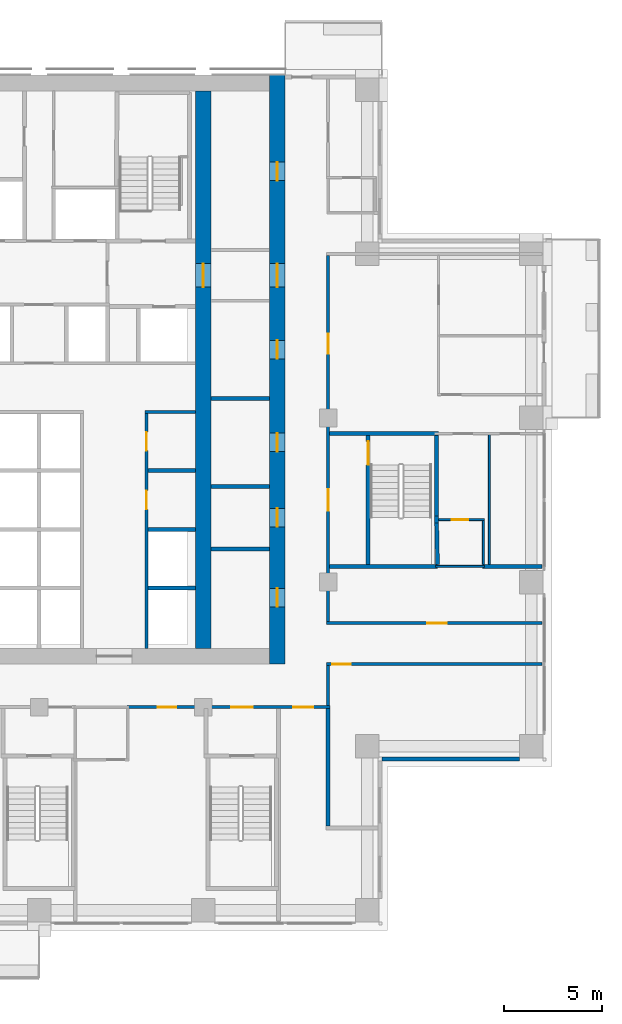
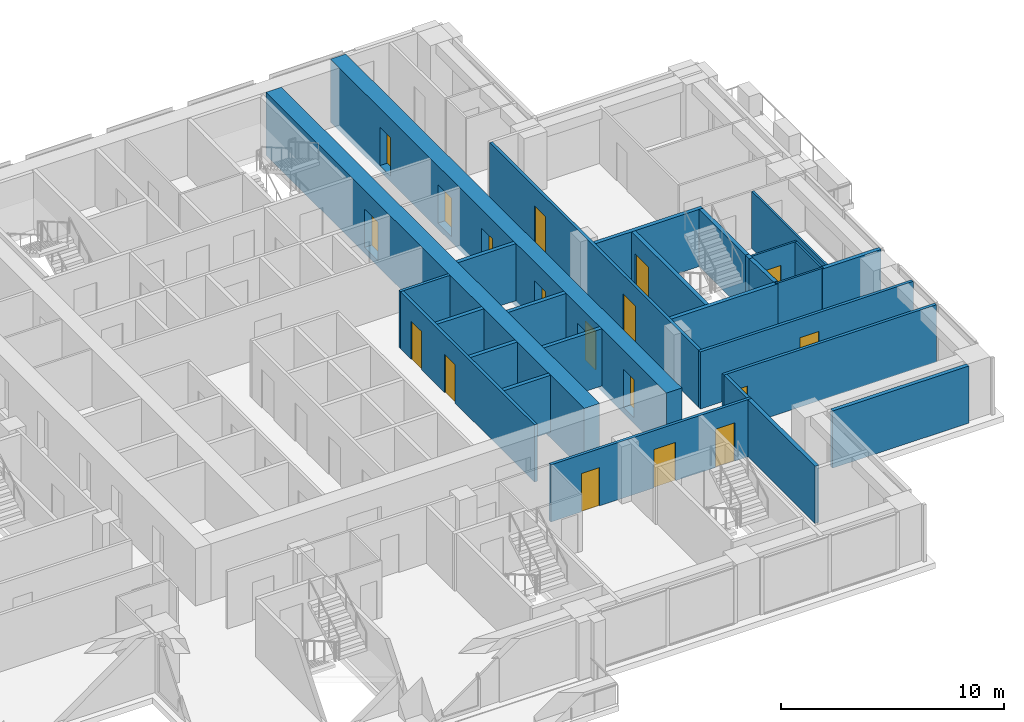
# One storey, part 9 of 16: 28 walls, 18 doors, 18 openings.
"""IFC4 building model written with IfcOpenShell, lengths in metres."""

from ifc_helpers import new_model, si_unit, direction, frame, frame_2d, origin, place, context, subcontext, project, spatial, rectangle, extrude, material, layer, layer_set, type_object, element, fill, save


model = new_model("IFC4")

# Units and contexts
model_context = context("Model", 3, precision=1e-05, world=origin(), true_north=direction((0.0, 1.0)))
body_context = subcontext(model_context, "Body", "Model", "MODEL_VIEW")
ifc_project = project(units=[si_unit("LENGTHUNIT", "METRE"), si_unit("AREAUNIT", "SQUARE_METRE"), si_unit("VOLUMEUNIT", "CUBIC_METRE"), si_unit("PLANEANGLEUNIT", "RADIAN"), si_unit("MASSUNIT", "GRAM", prefix="KILO")], contexts=[model_context])

# Site, building, storey
site_placement = place(None, origin())
site = spatial("IfcSite", under=ifc_project, at=site_placement, CompositionType="ELEMENT")
building_placement = place(site_placement, origin())
building = spatial("IfcBuilding", under=site, at=building_placement, Name="Vermilion Ogive Tower", CompositionType="ELEMENT")
storey_placement = place(building_placement, frame((0.0, 0.0, 114.89990234375)))
storey = spatial("IfcBuildingStorey", under=building, at=storey_placement, Name="L29", CompositionType="ELEMENT", Elevation=114.89990234375)

# Wall, openings, doors
ifc_material_1 = material(Name="Concrete B80", Category="concrete")
ifc_layer_1 = layer(ifc_material_1, 0.800048828125)
ifc_layer_set_1 = layer_set([ifc_layer_1], Name="Core wall 800 B80")
wall_type_1 = type_object("IfcWallType", Name="Core wall 800 B80", PredefinedType="SHEAR", material=ifc_layer_set_1)
wall_1_placement = place(storey_placement, frame((12.199951171875, -8.39990234375, -0.31982421875), z_axis=(0.0, 0.0, 1.0), x_axis=(0.0, 1.0, 0.0)))
wall_1 = element("IfcWall", 1, at=wall_1_placement, inside=storey, type_object=wall_type_1, Name="L29-CORE-E", PredefinedType="SHEAR", context=body_context, shape_type="SweptSolid", body=[
    extrude(rectangle(XDim=30.14990234375, YDim=0.800048828125, at=frame_2d((15.074951171875, 0.0))), origin(), (0.0, 0.0, 1.0), 3.449951171875),
])
opening_1_placement = place(wall_1_placement, frame((2.925048828125, 0.0, 0.320068359375)))
opening_1 = element("IfcOpeningElement", 2, at=opening_1_placement, cuts=wall_1, Name="Opening DAC056", PredefinedType="OPENING", context=body_context, shape_type="SweptSolid", body=[
    extrude(rectangle(XDim=0.949951171875, YDim=2.10009765625, at=frame_2d((0.47509765625, 1.050048828125))), frame((0.0, 0.409912109375, 0.0), z_axis=(0.0, -1.0, 0.0), x_axis=(1.0, 0.0, 0.0)), (0.0, 0.0, 1.0), 0.820068359375),
])
opening_2_placement = place(wall_1_placement, frame((7.02490234375, 0.0, 0.320068359375)))
opening_2 = element("IfcOpeningElement", 3, at=opening_2_placement, cuts=wall_1, Name="Opening DAC057", PredefinedType="OPENING", context=body_context, shape_type="SweptSolid", body=[
    extrude(rectangle(XDim=0.949951171875, YDim=2.10009765625, at=frame_2d((0.47509765625, 1.050048828125))), frame((0.0, 0.409912109375, 0.0), z_axis=(0.0, -1.0, 0.0), x_axis=(1.0, 0.0, 0.0)), (0.0, 0.0, 1.0), 0.820068359375),
])
opening_3_placement = place(wall_1_placement, frame((10.875, 0.0, 0.320068359375)))
opening_3 = element("IfcOpeningElement", 4, at=opening_3_placement, cuts=wall_1, Name="Opening DAC058", PredefinedType="OPENING", context=body_context, shape_type="SweptSolid", body=[
    extrude(rectangle(XDim=0.949951171875, YDim=2.10009765625, at=frame_2d((0.47509765625, 1.050048828125))), frame((0.0, 0.409912109375, 0.0), z_axis=(0.0, -1.0, 0.0), x_axis=(1.0, 0.0, 0.0)), (0.0, 0.0, 1.0), 0.820068359375),
])
opening_4_placement = place(wall_1_placement, frame((15.625, 0.0, 0.320068359375)))
opening_4 = element("IfcOpeningElement", 5, at=opening_4_placement, cuts=wall_1, Name="Opening DAC059", PredefinedType="OPENING", context=body_context, shape_type="SweptSolid", body=[
    extrude(rectangle(XDim=0.949951171875, YDim=2.10009765625, at=frame_2d((0.47509765625, 1.050048828125))), frame((0.0, 0.409912109375, 0.0), z_axis=(0.0, -1.0, 0.0), x_axis=(1.0, 0.0, 0.0)), (0.0, 0.0, 1.0), 0.820068359375),
])
opening_5_placement = place(wall_1_placement, frame((24.75, 0.0, 0.320068359375)))
opening_5 = element("IfcOpeningElement", 6, at=opening_5_placement, cuts=wall_1, Name="Opening DAC060", PredefinedType="OPENING", context=body_context, shape_type="SweptSolid", body=[
    extrude(rectangle(XDim=0.949951171875, YDim=2.10009765625, at=frame_2d((0.47509765625, 1.050048828125))), frame((0.0, 0.409912109375, 0.0), z_axis=(0.0, -1.0, 0.0), x_axis=(1.0, 0.0, 0.0)), (0.0, 0.0, 1.0), 0.820068359375),
])
opening_6_placement = place(wall_1_placement, frame((19.300048828125, 0.0, 0.320068359375)))
opening_6 = element("IfcOpeningElement", 7, at=opening_6_placement, cuts=wall_1, Name="Opening DAL011", PredefinedType="OPENING", context=body_context, shape_type="SweptSolid", body=[
    extrude(rectangle(XDim=1.199951171875, YDim=2.10009765625, at=frame_2d((0.60009765625, 1.050048828125))), frame((0.0, 0.409912109375, 0.0), z_axis=(0.0, -1.0, 0.0), x_axis=(1.0, 0.0, 0.0)), (0.0, 0.0, 1.0), 0.820068359375),
])
ifc_material_2 = material(Name="Timber door leaf", Category="wood")
door_type_1 = type_object("IfcDoorType", Name="Link door 1200 x 2100 FD60S", OperationType="SINGLE_SWING_LEFT", PredefinedType="DOOR", material=ifc_material_2)
door_1_placement = place(opening_6_placement, origin())
door_1 = element("IfcDoor", 8, at=door_1_placement, inside=storey, type_object=door_type_1, Name="L29-CKE-XL", OperationType="SINGLE_SWING_LEFT", OverallHeight=2.10009765625, OverallWidth=1.199951171875, PredefinedType="DOOR", context=body_context, shape_type="SweptSolid", body=[
    extrude(rectangle(XDim=1.199951171875, YDim=2.10009765625, at=frame_2d((0.60009765625, 1.050048828125))), frame((0.0, 0.02490234375, 0.0), z_axis=(0.0, -1.0, 0.0), x_axis=(1.0, 0.0, 0.0)), (0.0, 0.0, 1.0), 0.050048828125),
])
fill(opening_6, door_1)
ifc_material_3 = material(Name="Timber door leaf", Category="wood")
door_type_2 = type_object("IfcDoorType", Name="Service door 950 x 2100 FD60", OperationType="SINGLE_SWING_LEFT", PredefinedType="DOOR", material=ifc_material_3)
door_2_placement = place(opening_1_placement, origin())
door_2 = element("IfcDoor", 9, at=door_2_placement, inside=storey, type_object=door_type_2, Name="L29-CKE-XR0", OperationType="SINGLE_SWING_LEFT", OverallHeight=2.10009765625, OverallWidth=0.949951171875, PredefinedType="DOOR", context=body_context, shape_type="SweptSolid", body=[
    extrude(rectangle(XDim=0.949951171875, YDim=2.10009765625, at=frame_2d((0.47509765625, 1.050048828125))), frame((0.0, 0.02490234375, 0.0), z_axis=(0.0, -1.0, 0.0), x_axis=(1.0, 0.0, 0.0)), (0.0, 0.0, 1.0), 0.050048828125),
])
fill(opening_1, door_2)
door_3_placement = place(opening_2_placement, origin())
door_3 = element("IfcDoor", 10, at=door_3_placement, inside=storey, type_object=door_type_2, Name="L29-CKE-XR1", OperationType="SINGLE_SWING_LEFT", OverallHeight=2.10009765625, OverallWidth=0.949951171875, PredefinedType="DOOR", context=body_context, shape_type="SweptSolid", body=[
    extrude(rectangle(XDim=0.949951171875, YDim=2.10009765625, at=frame_2d((0.47509765625, 1.050048828125))), frame((0.0, 0.02490234375, 0.0), z_axis=(0.0, -1.0, 0.0), x_axis=(1.0, 0.0, 0.0)), (0.0, 0.0, 1.0), 0.050048828125),
])
fill(opening_2, door_3)
door_4_placement = place(opening_3_placement, origin())
door_4 = element("IfcDoor", 11, at=door_4_placement, inside=storey, type_object=door_type_2, Name="L29-CKE-XR2", OperationType="SINGLE_SWING_LEFT", OverallHeight=2.10009765625, OverallWidth=0.949951171875, PredefinedType="DOOR", context=body_context, shape_type="SweptSolid", body=[
    extrude(rectangle(XDim=0.949951171875, YDim=2.10009765625, at=frame_2d((0.47509765625, 1.050048828125))), frame((0.0, 0.02490234375, 0.0), z_axis=(0.0, -1.0, 0.0), x_axis=(1.0, 0.0, 0.0)), (0.0, 0.0, 1.0), 0.050048828125),
])
fill(opening_3, door_4)
door_5_placement = place(opening_4_placement, origin())
door_5 = element("IfcDoor", 12, at=door_5_placement, inside=storey, type_object=door_type_2, Name="L29-CKE-XR3", OperationType="SINGLE_SWING_LEFT", OverallHeight=2.10009765625, OverallWidth=0.949951171875, PredefinedType="DOOR", context=body_context, shape_type="SweptSolid", body=[
    extrude(rectangle(XDim=0.949951171875, YDim=2.10009765625, at=frame_2d((0.47509765625, 1.050048828125))), frame((0.0, 0.02490234375, 0.0), z_axis=(0.0, -1.0, 0.0), x_axis=(1.0, 0.0, 0.0)), (0.0, 0.0, 1.0), 0.050048828125),
])
fill(opening_4, door_5)
door_6_placement = place(opening_5_placement, origin())
door_6 = element("IfcDoor", 13, at=door_6_placement, inside=storey, type_object=door_type_2, Name="L29-CKE-XR4", OperationType="SINGLE_SWING_LEFT", OverallHeight=2.10009765625, OverallWidth=0.949951171875, PredefinedType="DOOR", context=body_context, shape_type="SweptSolid", body=[
    extrude(rectangle(XDim=0.949951171875, YDim=2.10009765625, at=frame_2d((0.47509765625, 1.050048828125))), frame((0.0, 0.02490234375, 0.0), z_axis=(0.0, -1.0, 0.0), x_axis=(1.0, 0.0, 0.0)), (0.0, 0.0, 1.0), 0.050048828125),
])
fill(opening_5, door_6)

# Wall, opening, door
wall_2_placement = place(storey_placement, frame((8.39990234375, -7.60009765625, -0.31982421875), z_axis=(0.0, 0.0, 1.0), x_axis=(0.0, 1.0, 0.0)))
wall_2 = element("IfcWall", 14, at=wall_2_placement, inside=storey, type_object=wall_type_1, Name="L29-CORE-WEB2", PredefinedType="SHEAR", context=body_context, shape_type="SweptSolid", body=[
    extrude(rectangle(XDim=28.550048828125, YDim=0.800048828125, at=frame_2d((14.27490234375, 0.0))), origin(), (0.0, 0.0, 1.0), 3.449951171875),
])
opening_7_placement = place(wall_2_placement, frame((18.5, 0.0, 0.320068359375)))
opening_7 = element("IfcOpeningElement", 15, at=opening_7_placement, cuts=wall_2, Name="Opening DAO011", PredefinedType="OPENING", context=body_context, shape_type="SweptSolid", body=[
    extrude(rectangle(XDim=1.199951171875, YDim=2.10009765625, at=frame_2d((0.60009765625, 1.050048828125))), frame((0.0, 0.409912109375, 0.0), z_axis=(0.0, -1.0, 0.0), x_axis=(1.0, 0.0, 0.0)), (0.0, 0.0, 1.0), 0.820068359375),
])
door_7_placement = place(opening_7_placement, origin())
door_7 = element("IfcDoor", 16, at=door_7_placement, inside=storey, type_object=door_type_1, Name="L29-CKE-XW", OperationType="SINGLE_SWING_LEFT", OverallHeight=2.10009765625, OverallWidth=1.199951171875, PredefinedType="DOOR", context=body_context, shape_type="SweptSolid", body=[
    extrude(rectangle(XDim=1.199951171875, YDim=2.10009765625, at=frame_2d((0.60009765625, 1.050048828125))), frame((0.0, 0.02490234375, 0.0), z_axis=(0.0, -1.0, 0.0), x_axis=(1.0, 0.0, 0.0)), (0.0, 0.0, 1.0), 0.050048828125),
])
fill(opening_7, door_7)

# Wall
ifc_material_4 = material(Name="Gypsum board partition on steel studs", Category="steel")
ifc_layer_2 = layer(ifc_material_4, 0.10009765625)
ifc_layer_set_2 = layer_set([ifc_layer_2], Name="Partition 100 bath")
wall_type_2 = type_object("IfcWallType", Name="Partition 100 bath", PredefinedType="PARTITIONING", material=ifc_layer_set_2)
wall_3_placement = place(storey_placement, frame((20.300048828125, -3.39990234375, 0.0), z_axis=(0.0, 0.0, 1.0), x_axis=(1.0, 0.0, 0.0)))
element("IfcWall", 17, at=wall_3_placement, inside=storey, type_object=wall_type_2, Name="L29-W-W023", PredefinedType="PARTITIONING", context=body_context, shape_type="SweptSolid", body=[
    extrude(rectangle(XDim=2.5, YDim=0.10009765625, at=frame_2d((1.25, 0.0))), origin(), (0.0, 0.0, 1.0), 3.130126953125),
])

# Wall, opening, door
wall_4_placement = place(storey_placement, frame((20.449951171875, -1.0, 0.0), z_axis=(0.0, 0.0, 1.0), x_axis=(1.0, 0.0, 0.0)))
wall_4 = element("IfcWall", 18, at=wall_4_placement, inside=storey, type_object=wall_type_2, Name="L29-W-W025", PredefinedType="PARTITIONING", context=body_context, shape_type="SweptSolid", body=[
    extrude(rectangle(XDim=2.35009765625, YDim=0.10009765625, at=frame_2d((1.175048828125, 0.0))), origin(), (0.0, 0.0, 1.0), 3.130126953125),
])
opening_8_placement = place(wall_4_placement, frame((0.675048828125, 0.0, 0.0)))
opening_8 = element("IfcOpeningElement", 19, at=opening_8_placement, cuts=wall_4, Name="Opening D2G5020", PredefinedType="OPENING", context=body_context, shape_type="SweptSolid", body=[
    extrude(rectangle(XDim=0.85009765625, YDim=2.10009765625, at=frame_2d((0.425048828125, 1.050048828125))), frame((0.0, 0.06005859375, 0.0), z_axis=(0.0, -1.0, 0.0), x_axis=(1.0, 0.0, 0.0)), (0.0, 0.0, 1.0), 0.1201171875),
])
ifc_material_5 = material(Name="Timber door leaf", Category="wood")
door_type_3 = type_object("IfcDoorType", Name="Bath door 850 x 2100 FD30", OperationType="SINGLE_SWING_LEFT", PredefinedType="DOOR", material=ifc_material_5)
door_8_placement = place(opening_8_placement, origin())
door_8 = element("IfcDoor", 20, at=door_8_placement, inside=storey, type_object=door_type_3, Name="L29-D-D020", OperationType="SINGLE_SWING_RIGHT", OverallHeight=2.10009765625, OverallWidth=0.85009765625, PredefinedType="DOOR", context=body_context, shape_type="SweptSolid", body=[
    extrude(rectangle(XDim=0.85009765625, YDim=2.10009765625, at=frame_2d((0.425048828125, 1.050048828125))), frame((0.0, 0.02490234375, 0.0), z_axis=(0.0, -1.0, 0.0), x_axis=(1.0, 0.0, 0.0)), (0.0, 0.0, 1.0), 0.050048828125),
])
fill(opening_8, door_8)

# Walls
wall_5_placement = place(storey_placement, frame((22.75, -3.300048828125, 0.0), z_axis=(0.0, 0.0, 1.0), x_axis=(0.0, 1.0, 0.0)))
element("IfcWall", 21, at=wall_5_placement, inside=storey, type_object=wall_type_2, Name="L29-W-W077", PredefinedType="PARTITIONING", context=body_context, shape_type="SweptSolid", body=[
    extrude(rectangle(XDim=2.25, YDim=0.10009765625, at=frame_2d((1.125, 0.0))), origin(), (0.0, 0.0, 1.0), 3.130126953125),
])
ifc_material_6 = material(Name="Gypsum board partition on steel studs", Category="steel")
ifc_layer_3 = layer(ifc_material_6, 0.10009765625)
ifc_layer_set_3 = layer_set([ifc_layer_3], Name="Partition 100 inner")
wall_type_3 = type_object("IfcWallType", Name="Partition 100 inner", PredefinedType="PARTITIONING", material=ifc_layer_set_3)
wall_6_placement = place(storey_placement, frame((23.050048828125, -3.300048828125, 0.0), z_axis=(0.0, 0.0, 1.0), x_axis=(0.0, 1.0, 0.0)))
element("IfcWall", 22, at=wall_6_placement, inside=storey, type_object=wall_type_3, Name="L29-W-W078", PredefinedType="PARTITIONING", context=body_context, shape_type="SweptSolid", body=[
    extrude(rectangle(XDim=6.650146484375, YDim=0.10009765625, at=frame_2d((3.3251953125, 0.0))), origin(), (0.0, 0.0, 1.0), 3.130126953125),
])

# Wall, openings, doors
ifc_material_7 = material(Name="Gypsum board partition on steel studs", Category="steel")
ifc_layer_4 = layer(ifc_material_7, 0.14990234375)
ifc_layer_set_4 = layer_set([ifc_layer_4], Name="Partition 150 corridor")
wall_type_4 = type_object("IfcWallType", Name="Partition 150 corridor", PredefinedType="PARTITIONING", material=ifc_layer_set_4)
wall_7_placement = place(storey_placement, frame((4.5, -10.60009765625, 0.0), z_axis=(0.0, 0.0, 1.0), x_axis=(1.0, 0.0, 0.0)))
wall_7 = element("IfcWall", 23, at=wall_7_placement, inside=storey, type_object=wall_type_4, Name="L29-W-W013", PredefinedType="PARTITIONING", context=body_context, shape_type="SweptSolid", body=[
    extrude(rectangle(XDim=10.39990234375, YDim=0.14990234375, at=frame_2d((5.199951171875, 0.0))), origin(), (0.0, 0.0, 1.0), 3.130126953125),
])
opening_9_placement = place(wall_7_placement, frame((1.574951171875, 0.0, 0.0)))
opening_9 = element("IfcOpeningElement", 24, at=opening_9_placement, cuts=wall_7, Name="Opening D2G5012", PredefinedType="OPENING", context=body_context, shape_type="SweptSolid", body=[
    extrude(rectangle(XDim=0.949951171875, YDim=2.10009765625, at=frame_2d((0.47509765625, 1.050048828125))), frame((0.0, 0.0849609375, 0.0), z_axis=(0.0, -1.0, 0.0), x_axis=(1.0, 0.0, 0.0)), (0.0, 0.0, 1.0), 0.169921875),
])
opening_10_placement = place(wall_7_placement, frame((5.35009765625, 0.0, 0.0)))
opening_10 = element("IfcOpeningElement", 25, at=opening_10_placement, cuts=wall_7, Name="Opening D2G5027", PredefinedType="OPENING", context=body_context, shape_type="SweptSolid", body=[
    extrude(rectangle(XDim=1.10009765625, YDim=2.10009765625, at=frame_2d((0.550048828125, 1.050048828125))), frame((0.0, 0.0849609375, 0.0), z_axis=(0.0, -1.0, 0.0), x_axis=(1.0, 0.0, 0.0)), (0.0, 0.0, 1.0), 0.169921875),
])
opening_11_placement = place(wall_7_placement, frame((8.52490234375, 0.0, 0.0)))
opening_11 = element("IfcOpeningElement", 26, at=opening_11_placement, cuts=wall_7, Name="Opening D2G5033", PredefinedType="OPENING", context=body_context, shape_type="SweptSolid", body=[
    extrude(rectangle(XDim=1.0, YDim=2.10009765625, at=frame_2d((0.5, 1.050048828125))), frame((0.0, 0.0849609375, 0.0), z_axis=(0.0, -1.0, 0.0), x_axis=(1.0, 0.0, 0.0)), (0.0, 0.0, 1.0), 0.169921875),
])
ifc_material_8 = material(Name="Timber door leaf", Category="wood")
door_type_4 = type_object("IfcDoorType", Name="Stair door 1100 x 2100 FD60S", OperationType="SINGLE_SWING_LEFT", PredefinedType="DOOR", material=ifc_material_8)
door_9_placement = place(opening_10_placement, origin())
door_9 = element("IfcDoor", 27, at=door_9_placement, inside=storey, type_object=door_type_4, Name="L29-D-D027", OperationType="SINGLE_SWING_LEFT", OverallHeight=2.10009765625, OverallWidth=1.10009765625, PredefinedType="DOOR", context=body_context, shape_type="SweptSolid", body=[
    extrude(rectangle(XDim=1.10009765625, YDim=2.10009765625, at=frame_2d((0.550048828125, 1.050048828125))), frame((0.0, 0.02490234375, 0.0), z_axis=(0.0, -1.0, 0.0), x_axis=(1.0, 0.0, 0.0)), (0.0, 0.0, 1.0), 0.050048828125),
])
fill(opening_10, door_9)
ifc_material_9 = material(Name="Timber door leaf", Category="wood")
door_type_5 = type_object("IfcDoorType", Name="Unit door 1000 x 2100 FD30S", OperationType="SINGLE_SWING_LEFT", PredefinedType="DOOR", material=ifc_material_9)
door_10_placement = place(opening_11_placement, origin())
door_10 = element("IfcDoor", 28, at=door_10_placement, inside=storey, type_object=door_type_5, Name="L29-D-D033", OperationType="SINGLE_SWING_LEFT", OverallHeight=2.10009765625, OverallWidth=1.0, PredefinedType="DOOR", context=body_context, shape_type="SweptSolid", body=[
    extrude(rectangle(XDim=1.0, YDim=2.10009765625, at=frame_2d((0.5, 1.050048828125))), frame((0.0, 0.02490234375, 0.0), z_axis=(0.0, -1.0, 0.0), x_axis=(1.0, 0.0, 0.0)), (0.0, 0.0, 1.0), 0.050048828125),
])
fill(opening_11, door_10)
ifc_material_10 = material(Name="Timber door leaf", Category="wood")
door_type_6 = type_object("IfcDoorType", Name="Unit door 950 x 2100 FD30S", OperationType="SINGLE_SWING_LEFT", PredefinedType="DOOR", material=ifc_material_10)
door_11_placement = place(opening_9_placement, origin())
door_11 = element("IfcDoor", 29, at=door_11_placement, inside=storey, type_object=door_type_6, Name="L29-D-D012", OperationType="SINGLE_SWING_LEFT", OverallHeight=2.10009765625, OverallWidth=0.949951171875, PredefinedType="DOOR", context=body_context, shape_type="SweptSolid", body=[
    extrude(rectangle(XDim=0.949951171875, YDim=2.10009765625, at=frame_2d((0.47509765625, 1.050048828125))), frame((0.0, 0.02490234375, 0.0), z_axis=(0.0, -1.0, 0.0), x_axis=(1.0, 0.0, 0.0)), (0.0, 0.0, 1.0), 0.050048828125),
])
fill(opening_9, door_11)

# Wall, opening, door
wall_8_placement = place(storey_placement, frame((14.72509765625, -8.39990234375, 0.0), z_axis=(0.0, 0.0, 1.0), x_axis=(1.0, 0.0, 0.0)))
wall_8 = element("IfcWall", 30, at=wall_8_placement, inside=storey, type_object=wall_type_4, Name="L29-W-W016", PredefinedType="PARTITIONING", context=body_context, shape_type="SweptSolid", body=[
    extrude(rectangle(XDim=11.02490234375, YDim=0.14990234375, at=frame_2d((5.512451171875, 0.0))), origin(), (0.0, 0.0, 1.0), 3.130126953125),
])
opening_12_placement = place(wall_8_placement, frame((0.27490234375, 0.0, 0.0)))
opening_12 = element("IfcOpeningElement", 31, at=opening_12_placement, cuts=wall_8, Name="Opening D2G5014", PredefinedType="OPENING", context=body_context, shape_type="SweptSolid", body=[
    extrude(rectangle(XDim=0.949951171875, YDim=2.10009765625, at=frame_2d((0.47509765625, 1.050048828125))), frame((0.0, 0.0849609375, 0.0), z_axis=(0.0, -1.0, 0.0), x_axis=(1.0, 0.0, 0.0)), (0.0, 0.0, 1.0), 0.169921875),
])
door_12_placement = place(opening_12_placement, origin())
door_12 = element("IfcDoor", 32, at=door_12_placement, inside=storey, type_object=door_type_6, Name="L29-D-D014", OperationType="SINGLE_SWING_RIGHT", OverallHeight=2.10009765625, OverallWidth=0.949951171875, PredefinedType="DOOR", context=body_context, shape_type="SweptSolid", body=[
    extrude(rectangle(XDim=0.949951171875, YDim=2.10009765625, at=frame_2d((0.47509765625, 1.050048828125))), frame((0.0, 0.02490234375, 0.0), z_axis=(0.0, -1.0, 0.0), x_axis=(1.0, 0.0, 0.0)), (0.0, 0.0, 1.0), 0.050048828125),
])
fill(opening_12, door_12)

wall_9_placement = place(storey_placement, frame((14.72509765625, -6.300048828125, 0.0), z_axis=(0.0, 0.0, 1.0), x_axis=(1.0, 0.0, 0.0)))
wall_9 = element("IfcWall", 33, at=wall_9_placement, inside=storey, type_object=wall_type_4, Name="L29-W-W018", PredefinedType="PARTITIONING", context=body_context, shape_type="SweptSolid", body=[
    extrude(rectangle(XDim=11.02490234375, YDim=0.14990234375, at=frame_2d((5.512451171875, 0.0))), origin(), (0.0, 0.0, 1.0), 3.130126953125),
])
opening_13_placement = place(wall_9_placement, frame((5.14990234375, 0.0, 0.0)))
opening_13 = element("IfcOpeningElement", 34, at=opening_13_placement, cuts=wall_9, Name="Opening D2G5035", PredefinedType="OPENING", context=body_context, shape_type="SweptSolid", body=[
    extrude(rectangle(XDim=1.0, YDim=2.10009765625, at=frame_2d((0.5, 1.050048828125))), frame((0.0, 0.0849609375, 0.0), z_axis=(0.0, -1.0, 0.0), x_axis=(1.0, 0.0, 0.0)), (0.0, 0.0, 1.0), 0.169921875),
])
door_13_placement = place(opening_13_placement, origin())
door_13 = element("IfcDoor", 35, at=door_13_placement, inside=storey, type_object=door_type_5, Name="L29-D-D035", OperationType="SINGLE_SWING_RIGHT", OverallHeight=2.10009765625, OverallWidth=1.0, PredefinedType="DOOR", context=body_context, shape_type="SweptSolid", body=[
    extrude(rectangle(XDim=1.0, YDim=2.10009765625, at=frame_2d((0.5, 1.050048828125))), frame((0.0, 0.02490234375, 0.0), z_axis=(0.0, -1.0, 0.0), x_axis=(1.0, 0.0, 0.0)), (0.0, 0.0, 1.0), 0.050048828125),
])
fill(opening_13, door_13)

# Wall
wall_10_placement = place(storey_placement, frame((14.800048828125, -10.52490234375, 0.0), z_axis=(0.0, 0.0, 1.0), x_axis=(0.0, 1.0, 0.0)))
element("IfcWall", 36, at=wall_10_placement, inside=storey, type_object=wall_type_4, Name="L29-W-W068", PredefinedType="PARTITIONING", context=body_context, shape_type="SweptSolid", body=[
    extrude(rectangle(XDim=2.0498046875, YDim=0.14990234375, at=frame_2d((1.02490234375, 0.0))), origin(), (0.0, 0.0, 1.0), 3.130126953125),
])

# Wall, openings, doors
wall_11_placement = place(storey_placement, frame((14.800048828125, -6.22509765625, 0.0), z_axis=(0.0, 0.0, 1.0), x_axis=(0.0, 1.0, 0.0)))
wall_11 = element("IfcWall", 37, at=wall_11_placement, inside=storey, type_object=wall_type_4, Name="L29-W-W069", PredefinedType="PARTITIONING", context=body_context, shape_type="SweptSolid", body=[
    extrude(rectangle(XDim=18.75, YDim=0.14990234375, at=frame_2d((9.375, 0.0))), origin(), (0.0, 0.0, 1.0), 3.130126953125),
])
opening_14_placement = place(wall_11_placement, frame((13.72509765625, 0.0, 0.0)))
opening_14 = element("IfcOpeningElement", 38, at=opening_14_placement, cuts=wall_11, Name="Opening D2G5018", PredefinedType="OPENING", context=body_context, shape_type="SweptSolid", body=[
    extrude(rectangle(XDim=1.0, YDim=2.10009765625, at=frame_2d((0.5, 1.050048828125))), frame((0.0, 0.0849609375, 0.0), z_axis=(0.0, -1.0, 0.0), x_axis=(1.0, 0.0, 0.0)), (0.0, 0.0, 1.0), 0.169921875),
])
opening_15_placement = place(wall_11_placement, frame((5.675048828125, 0.0, 0.0)))
opening_15 = element("IfcOpeningElement", 39, at=opening_15_placement, cuts=wall_11, Name="Opening D2G5029", PredefinedType="OPENING", context=body_context, shape_type="SweptSolid", body=[
    extrude(rectangle(XDim=1.10009765625, YDim=2.10009765625, at=frame_2d((0.550048828125, 1.050048828125))), frame((0.0, 0.0849609375, 0.0), z_axis=(0.0, -1.0, 0.0), x_axis=(1.0, 0.0, 0.0)), (0.0, 0.0, 1.0), 0.169921875),
])
door_14_placement = place(opening_15_placement, origin())
door_14 = element("IfcDoor", 40, at=door_14_placement, inside=storey, type_object=door_type_4, Name="L29-D-D029", OperationType="SINGLE_SWING_LEFT", OverallHeight=2.10009765625, OverallWidth=1.10009765625, PredefinedType="DOOR", context=body_context, shape_type="SweptSolid", body=[
    extrude(rectangle(XDim=1.10009765625, YDim=2.10009765625, at=frame_2d((0.550048828125, 1.050048828125))), frame((0.0, 0.02490234375, 0.0), z_axis=(0.0, -1.0, 0.0), x_axis=(1.0, 0.0, 0.0)), (0.0, 0.0, 1.0), 0.050048828125),
])
fill(opening_15, door_14)
door_15_placement = place(opening_14_placement, origin())
door_15 = element("IfcDoor", 41, at=door_15_placement, inside=storey, type_object=door_type_5, Name="L29-D-D018", OperationType="SINGLE_SWING_RIGHT", OverallHeight=2.10009765625, OverallWidth=1.0, PredefinedType="DOOR", context=body_context, shape_type="SweptSolid", body=[
    extrude(rectangle(XDim=1.0, YDim=2.10009765625, at=frame_2d((0.5, 1.050048828125))), frame((0.0, 0.02490234375, 0.0), z_axis=(0.0, -1.0, 0.0), x_axis=(1.0, 0.0, 0.0)), (0.0, 0.0, 1.0), 0.050048828125),
])
fill(opening_14, door_15)

# Wall
wall_12_placement = place(storey_placement, frame((5.425048828125, 4.5, 0.0), z_axis=(0.0, 0.0, 1.0), x_axis=(1.0, 0.0, 0.0)))
element("IfcWall", 42, at=wall_12_placement, inside=storey, type_object=wall_type_4, Name="L29-CK-W-W012", PredefinedType="PARTITIONING", context=body_context, shape_type="SweptSolid", body=[
    extrude(rectangle(XDim=2.573974609375, YDim=0.14990234375, at=frame_2d((1.287109375, 0.0))), origin(), (0.0, 0.0, 1.0), 3.130126953125),
])

# Wall, openings, doors
wall_13_placement = place(storey_placement, frame((5.5, -7.59912109375, 0.0), z_axis=(0.0, 0.0, 1.0), x_axis=(0.0, 1.0, 0.0)))
wall_13 = element("IfcWall", 43, at=wall_13_placement, inside=storey, type_object=wall_type_4, Name="L29-CK-W-W040", PredefinedType="PARTITIONING", context=body_context, shape_type="SweptSolid", body=[
    extrude(rectangle(XDim=12.024169921875, YDim=0.14990234375, at=frame_2d((6.01220703125, 0.0))), origin(), (0.0, 0.0, 1.0), 3.130126953125),
])
opening_16_placement = place(wall_13_placement, frame((7.1240234375, 0.0, 0.0)))
opening_16 = element("IfcOpeningElement", 44, at=opening_16_placement, cuts=wall_13, Name="Opening DAA235", PredefinedType="OPENING", context=body_context, shape_type="SweptSolid", body=[
    extrude(rectangle(XDim=0.949951171875, YDim=2.10009765625, at=frame_2d((0.47509765625, 1.050048828125))), frame((0.0, 0.0849609375, 0.0), z_axis=(0.0, -1.0, 0.0), x_axis=(1.0, 0.0, 0.0)), (0.0, 0.0, 1.0), 0.169921875),
])
opening_17_placement = place(wall_13_placement, frame((10.1240234375, 0.0, 0.0)))
opening_17 = element("IfcOpeningElement", 45, at=opening_17_placement, cuts=wall_13, Name="Opening DAA236", PredefinedType="OPENING", context=body_context, shape_type="SweptSolid", body=[
    extrude(rectangle(XDim=0.949951171875, YDim=2.10009765625, at=frame_2d((0.47509765625, 1.050048828125))), frame((0.0, 0.0849609375, 0.0), z_axis=(0.0, -1.0, 0.0), x_axis=(1.0, 0.0, 0.0)), (0.0, 0.0, 1.0), 0.169921875),
])
door_16_placement = place(opening_16_placement, origin())
door_16 = element("IfcDoor", 46, at=door_16_placement, inside=storey, type_object=door_type_2, Name="L29-CK-D-D009", OperationType="SINGLE_SWING_RIGHT", OverallHeight=2.10009765625, OverallWidth=0.949951171875, PredefinedType="DOOR", context=body_context, shape_type="SweptSolid", body=[
    extrude(rectangle(XDim=0.949951171875, YDim=2.10009765625, at=frame_2d((0.47509765625, 1.050048828125))), frame((0.0, 0.02490234375, 0.0), z_axis=(0.0, -1.0, 0.0), x_axis=(1.0, 0.0, 0.0)), (0.0, 0.0, 1.0), 0.050048828125),
])
fill(opening_16, door_16)
door_17_placement = place(opening_17_placement, origin())
door_17 = element("IfcDoor", 47, at=door_17_placement, inside=storey, type_object=door_type_2, Name="L29-CK-D-D010", OperationType="SINGLE_SWING_RIGHT", OverallHeight=2.10009765625, OverallWidth=0.949951171875, PredefinedType="DOOR", context=body_context, shape_type="SweptSolid", body=[
    extrude(rectangle(XDim=0.949951171875, YDim=2.10009765625, at=frame_2d((0.47509765625, 1.050048828125))), frame((0.0, 0.02490234375, 0.0), z_axis=(0.0, -1.0, 0.0), x_axis=(1.0, 0.0, 0.0)), (0.0, 0.0, 1.0), 0.050048828125),
])
fill(opening_17, door_17)

# Walls
ifc_material_11 = material(Name="Gypsum board partition on steel studs", Category="steel")
ifc_layer_5 = layer(ifc_material_11, 0.199951171875)
ifc_layer_set_5 = layer_set([ifc_layer_5], Name="Partition 200 party")
wall_type_5 = type_object("IfcWallType", Name="Partition 200 party", PredefinedType="PARTITIONING", material=ifc_layer_set_5)
wall_14_placement = place(storey_placement, frame((22.699951171875, -3.39990234375, 0.0), z_axis=(0.0, 0.0, 1.0), x_axis=(1.0, 0.0, 0.0)))
element("IfcWall", 48, at=wall_14_placement, inside=storey, type_object=wall_type_5, Name="L29-W-W024", PredefinedType="PARTITIONING", context=body_context, shape_type="SweptSolid", body=[
    extrude(rectangle(XDim=3.050048828125, YDim=0.199951171875, at=frame_2d((1.52490234375, 0.0))), origin(), (0.0, 0.0, 1.0), 3.130126953125),
])
wall_15_placement = place(storey_placement, frame((14.800048828125, -16.697998046875, 0.0), z_axis=(0.0, 0.0, 1.0), x_axis=(0.0, 1.0, 0.0)))
element("IfcWall", 49, at=wall_15_placement, inside=storey, type_object=wall_type_5, Name="L29-W-W067", PredefinedType="PARTITIONING", context=body_context, shape_type="SweptSolid", body=[
    extrude(rectangle(XDim=6.02294921875, YDim=0.199951171875, at=frame_2d((3.011474609375, 0.0))), origin(), (0.0, 0.0, 1.0), 3.130126953125),
])
for number, where, z_axis, x_axis, name in (
    (50, (5.574951171875, -4.5, 0.0), (0.0, 0.0, 1.0), (1.0, 0.0, 0.0), "L29-CK-W-W003"),
    (51, (5.574951171875, -1.5, 0.0), (0.0, 0.0, 1.0), (1.0, 0.0, 0.0), "L29-CK-W-W006"),
    (52, (5.574951171875, 1.5, 0.0), (0.0, 0.0, 1.0), (1.0, 0.0, 0.0), "L29-CK-W-W009"),
):
    element("IfcWall", number, at=place(storey_placement, frame(where, z_axis=z_axis, x_axis=x_axis)), inside=storey, type_object=wall_type_5, Name=name, PredefinedType="PARTITIONING", context=body_context, shape_type="SweptSolid", body=[
        extrude(rectangle(XDim=2.424072265625, YDim=0.199951171875, at=frame_2d((1.2119140625, 0.0))), origin(), (0.0, 0.0, 1.0), 3.130126953125),
    ])
for number, where, z_axis, x_axis, name in (
    (53, (8.801025390625, -2.5, 0.0), (0.0, 0.0, 1.0), (1.0, 0.0, 0.0), "L29-CKE-W-W001"),
    (54, (8.801025390625, 0.699951171875, 0.0), (0.0, 0.0, 1.0), (1.0, 0.0, 0.0), "L29-CKE-W-W002"),
    (55, (8.801025390625, 5.199951171875, 0.0), (0.0, 0.0, 1.0), (1.0, 0.0, 0.0), "L29-CKE-W-W003"),
):
    element("IfcWall", number, at=place(storey_placement, frame(where, z_axis=z_axis, x_axis=x_axis)), inside=storey, type_object=wall_type_5, Name=name, PredefinedType="PARTITIONING", context=body_context, shape_type="SweptSolid", body=[
        extrude(rectangle(XDim=2.998046875, YDim=0.199951171875, at=frame_2d((1.4990234375, 0.0))), origin(), (0.0, 0.0, 1.0), 3.130126953125),
    ])
ifc_material_12 = material(Name="Concrete B60", Category="concrete")
ifc_layer_6 = layer(ifc_material_12, 0.199951171875)
ifc_layer_set_6 = layer_set([ifc_layer_6], Name="Stair shaft wall 200 Concrete B60")
wall_type_6 = type_object("IfcWallType", Name="Stair shaft wall 200 Concrete B60", PredefinedType="SOLIDWALL", material=ifc_layer_set_6)
wall_16_placement = place(storey_placement, frame((14.875, 3.39990234375, 0.0), z_axis=(0.0, 0.0, 1.0), x_axis=(1.0, 0.0, 0.0)))
element("IfcWall", 56, at=wall_16_placement, inside=storey, type_object=wall_type_6, Name="L29-W-W029", PredefinedType="SOLIDWALL", context=body_context, shape_type="SweptSolid", body=[
    extrude(rectangle(XDim=5.574951171875, YDim=0.199951171875, at=frame_2d((2.78759765625, 0.0))), origin(), (0.0, 0.0, 1.0), 3.130126953125),
])

# Wall, opening, door
wall_17_placement = place(storey_placement, frame((16.85009765625, -3.300048828125, 0.0), z_axis=(0.0, 0.0, 1.0), x_axis=(0.0, 1.0, 0.0)))
wall_17 = element("IfcWall", 57, at=wall_17_placement, inside=storey, type_object=wall_type_6, Name="L29-W-W072", PredefinedType="SOLIDWALL", context=body_context, shape_type="SweptSolid", body=[
    extrude(rectangle(XDim=6.60009765625, YDim=0.199951171875, at=frame_2d((3.300048828125, 0.0))), origin(), (0.0, 0.0, 1.0), 3.130126953125),
])
opening_18_placement = place(wall_17_placement, frame((5.10009765625, 0.0, 0.0)))
opening_18 = element("IfcOpeningElement", 58, at=opening_18_placement, cuts=wall_17, Name="Opening D2G5030", PredefinedType="OPENING", context=body_context, shape_type="SweptSolid", body=[
    extrude(rectangle(XDim=1.199951171875, YDim=2.10009765625, at=frame_2d((0.60009765625, 1.050048828125))), frame((0.0, 0.10986328125, 0.0), z_axis=(0.0, -1.0, 0.0), x_axis=(1.0, 0.0, 0.0)), (0.0, 0.0, 1.0), 0.219970703125),
])
ifc_material_13 = material(Name="Timber door leaf", Category="wood")
door_type_7 = type_object("IfcDoorType", Name="Stair door 1200 x 2100 FD60S", OperationType="SINGLE_SWING_LEFT", PredefinedType="DOOR", material=ifc_material_13)
door_18_placement = place(opening_18_placement, origin())
door_18 = element("IfcDoor", 59, at=door_18_placement, inside=storey, type_object=door_type_7, Name="L29-D-D030", OperationType="SINGLE_SWING_LEFT", OverallHeight=2.10009765625, OverallWidth=1.199951171875, PredefinedType="DOOR", context=body_context, shape_type="SweptSolid", body=[
    extrude(rectangle(XDim=1.199951171875, YDim=2.10009765625, at=frame_2d((0.60009765625, 1.050048828125))), frame((0.0, 0.02490234375, 0.0), z_axis=(0.0, -1.0, 0.0), x_axis=(1.0, 0.0, 0.0)), (0.0, 0.0, 1.0), 0.050048828125),
])
fill(opening_18, door_18)

# Walls
wall_18_placement = place(storey_placement, frame((20.400146484375, -3.300048828125, 0.0), z_axis=(0.0, 0.0, 1.0), x_axis=(-0.021771342749, 0.999762976227, 0.0)))
element("IfcWall", 60, at=wall_18_placement, inside=storey, type_object=wall_type_6, Name="L29-W-W074", PredefinedType="SOLIDWALL", context=body_context, shape_type="SweptSolid", body=[
    extrude(rectangle(XDim=2.130615234375, YDim=0.199951171875, at=frame_2d((1.0654296875, 0.0))), origin(), (0.0, 0.0, 1.0), 3.130126953125),
])
wall_19_placement = place(storey_placement, frame((20.35009765625, -0.830078125, 0.0), z_axis=(0.0, 0.0, 1.0), x_axis=(0.0, 1.0, 0.0)))
element("IfcWall", 61, at=wall_19_placement, inside=storey, type_object=wall_type_6, Name="L29-W-W075", PredefinedType="SOLIDWALL", context=body_context, shape_type="SweptSolid", body=[
    extrude(rectangle(XDim=4.130126953125, YDim=0.199951171875, at=frame_2d((2.06494140625, 0.0))), origin(), (0.0, 0.0, 1.0), 3.130126953125),
])
wall_20_placement = place(storey_placement, frame((20.35009765625, -1.169921875, 0.0), z_axis=(0.0, 0.0, 1.0), x_axis=(0.0, 1.0, 0.0)))
element("IfcWall", 62, at=wall_20_placement, inside=storey, type_object=wall_type_6, Name="L29-SW-ST8-E1", PredefinedType="SOLIDWALL", context=body_context, shape_type="SweptSolid", body=[
    extrude(rectangle(XDim=0.33984375, YDim=0.199951171875, at=frame_2d((0.169921875, 0.0))), origin(), (0.0, 0.0, 1.0), 3.130126953125),
])
wall_21_placement = place(storey_placement, frame((14.875, -3.39990234375, 0.0), z_axis=(0.0, 0.0, 1.0), x_axis=(1.0, 0.0, 0.0)))
element("IfcWall", 63, at=wall_21_placement, inside=storey, type_object=wall_type_6, Name="L29-W-W022-A", PredefinedType="SOLIDWALL", context=body_context, shape_type="SweptSolid", body=[
    extrude(rectangle(XDim=5.52490234375, YDim=0.199951171875, at=frame_2d((2.762451171875, 0.0))), origin(), (0.0, 0.0, 1.0), 3.130126953125),
])
ifc_material_14 = material(Name="Aluminium window wall framing", Category="aluminium")
ifc_layer_7 = layer(ifc_material_14, 0.199951171875)
ifc_layer_set_7 = layer_set([ifc_layer_7], Name="Window wall")
wall_type_7 = type_object("IfcWallType", Name="Window wall", PredefinedType="STANDARD", material=ifc_layer_set_7)
wall_22_placement = place(storey_placement, frame((17.550048828125, -13.25, 0.0), z_axis=(0.0, 0.0, 1.0), x_axis=(1.0, 0.0, 0.0)))
element("IfcWall", 64, at=wall_22_placement, inside=storey, type_object=wall_type_7, Name="Window wall X21", PredefinedType="STANDARD", context=body_context, shape_type="SweptSolid", body=[
    extrude(rectangle(XDim=7.050048828125, YDim=0.199951171875, at=frame_2d((3.52490234375, 0.0))), origin(), (0.0, 0.0, 1.0), 3.130126953125),
])

save(model, "model.ifc")
